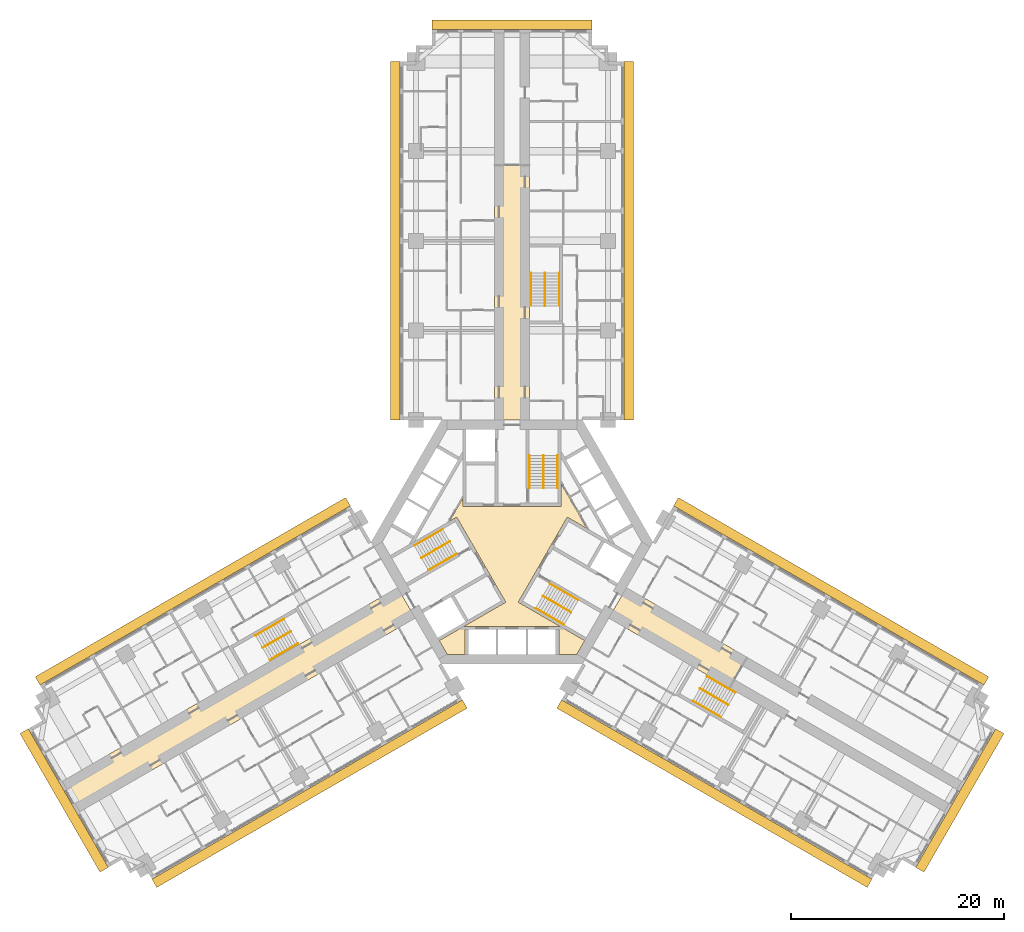
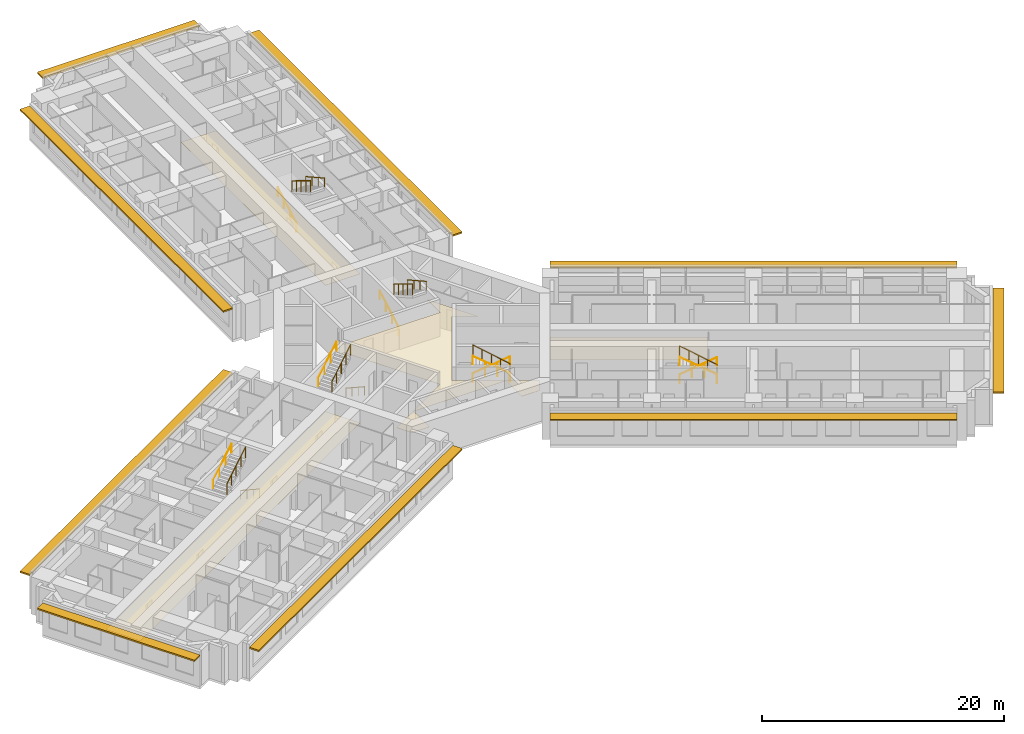
# One storey, part 15 of 15: 18 railings, 4 coverings, 3 shading devices.
"""IFC4 building model written with IfcOpenShell, lengths in metres."""

import ifcopenshell
import ifcopenshell.guid

model = None  # the IFC model being written
_history = None  # IfcOwnerHistory: only IFC2X3 demands one
_inside = {}  # id of a spatial element -> (the spatial element, [elements in it])
_under = {}  # id of a project, library or spatial element -> (it, [spatial elements below it])
_declared = {}  # id of a project -> (the project, [libraries it declares])
_typed = {}  # id of a type object -> (the type object, [elements of that type])
_made_of = {}  # id of a material, layer set ... -> (it, [elements and type objects made of it])


def new_model(schema):
    """Start an empty IFC model of exactly this schema.

    Asked for "IFC4X3", IfcOpenShell would pick the latest addendum, in which some entities
    have other attributes; the version numbers below select the first issue.
    IFC2X3 requires an IfcOwnerHistory on every rooted entity: one is made here for all.
    """
    global model, _history
    if schema == "IFC4X3":
        model = ifcopenshell.file(schema_version=(4, 3, 0, 0))
    else:
        model = ifcopenshell.file(schema=schema)
    _inside.clear()
    _under.clear()
    _declared.clear()
    _typed.clear()
    _made_of.clear()
    _history = None
    if model.schema == "IFC2X3":
        org = make("IfcOrganization", Name="unknown")
        user = make(
            "IfcPersonAndOrganization",
            ThePerson=make("IfcPerson", FamilyName="unknown"),
            TheOrganization=org,
        )
        app = make(
            "IfcApplication",
            ApplicationDeveloper=org,
            Version="unknown",
            ApplicationFullName="unknown",
            ApplicationIdentifier="unknown",
        )
        _history = make(
            "IfcOwnerHistory",
            OwningUser=user,
            OwningApplication=app,
            ChangeAction="ADDED",
            CreationDate=0,
        )
    return model


def make(cls, **values):
    """One entity of the class cls with the attributes given. An attribute that is None is left unset."""
    return model.create_entity(
        cls, **{name: value for name, value in values.items() if value is not None}
    )


def rooted(cls, **values):
    """An entity with a GlobalId (a new one), such as an element, a storey or a relation."""
    return make(cls, GlobalId=ifcopenshell.guid.new(), OwnerHistory=_history, **values)


def si_unit(unit_type, name, prefix=None):
    """IfcSIUnit, for example si_unit("LENGTHUNIT", "METRE", prefix="MILLI")."""
    return make("IfcSIUnit", UnitType=unit_type, Prefix=prefix, Name=name)


def assignment(units):
    """IfcUnitAssignment: the units of a project."""
    return None if units is None else make("IfcUnitAssignment", Units=units)


def point(xyz):
    """IfcCartesianPoint."""
    return None if xyz is None else make("IfcCartesianPoint", Coordinates=xyz)


def direction(xyz):
    """IfcDirection."""
    return None if xyz is None else make("IfcDirection", DirectionRatios=xyz)


def frame(location, z_axis=None, x_axis=None):
    """IfcAxis2Placement3D, a coordinate frame: its origin and axes. An axis left out is left unset."""
    return make(
        "IfcAxis2Placement3D",
        Location=point(location),
        Axis=direction(z_axis),
        RefDirection=direction(x_axis),
    )


def frame_2d(location, x_axis=None):
    """IfcAxis2Placement2D, a coordinate frame in the plane: its origin and x axis."""
    return make(
        "IfcAxis2Placement2D", Location=point(location), RefDirection=direction(x_axis)
    )


def origin():
    """The frame at (0, 0, 0) with its axes left unset."""
    return frame((0.0, 0.0, 0.0))


def origin_2d():
    """The frame at (0, 0) in the plane with its x axis left unset."""
    return frame_2d((0.0, 0.0))


def place(relative_to, where):
    """IfcLocalPlacement: puts the frame where relative to a parent placement (None: the world)."""
    return make(
        "IfcLocalPlacement", PlacementRelTo=relative_to, RelativePlacement=where
    )


def context(
    kind, dimensions, precision=None, world=None, true_north=None, identifier=None
):
    """IfcGeometricRepresentationContext, for example the 3D "Model" context."""
    return make(
        "IfcGeometricRepresentationContext",
        ContextIdentifier=identifier,
        ContextType=kind,
        CoordinateSpaceDimension=dimensions,
        Precision=precision,
        WorldCoordinateSystem=world,
        TrueNorth=true_north,
    )


def subcontext(parent, identifier, kind, view, scale=None):
    """IfcGeometricRepresentationSubContext, for example "Body" below "Model"."""
    return make(
        "IfcGeometricRepresentationSubContext",
        ContextIdentifier=identifier,
        ContextType=kind,
        ParentContext=parent,
        TargetScale=scale,
        TargetView=view,
    )


def project(units=None, contexts=None):
    """IfcProject with its units and contexts."""
    return rooted(
        "IfcProject",
        Name="project",
        RepresentationContexts=contexts,
        UnitsInContext=assignment(units),
    )


def spatial(cls, under=None, at=None, **own):
    """A site, building, storey or space (cls), placed at a placement, below another one or the project."""
    s = rooted(cls, ObjectPlacement=at, **own)
    if under is not None:
        _under.setdefault(under.id(), (under, []))[1].append(s)
    return s


def polyline(points):
    """IfcPolyline through the points."""
    return make("IfcPolyline", Points=[point(p) for p in points])


def profile(cls, at=None, kind="AREA", **sizes):
    """A parametric profile (cls). Its sizes go by their IFC names, for example OverallWidth=200.0."""
    return make(cls, ProfileType=kind, Position=at, **sizes)


def rectangle(**sizes):
    """IfcRectangleProfileDef."""
    return profile("IfcRectangleProfileDef", **sizes)


def circle(**sizes):
    """IfcCircleProfileDef."""
    return profile("IfcCircleProfileDef", **sizes)


def outline(outer, holes=None, kind="AREA"):
    """IfcArbitraryClosedProfileDef: a profile drawn as a closed curve; with holes, ...WithVoids."""
    if holes is None:
        return make("IfcArbitraryClosedProfileDef", ProfileType=kind, OuterCurve=outer)
    return make(
        "IfcArbitraryProfileDefWithVoids",
        ProfileType=kind,
        OuterCurve=outer,
        InnerCurves=holes,
    )


def extrude(swept, where, along, depth):
    """IfcExtrudedAreaSolid: the profile swept, set in the frame where, extruded along a direction by depth."""
    return make(
        "IfcExtrudedAreaSolid",
        SweptArea=swept,
        Position=where,
        ExtrudedDirection=direction(along),
        Depth=depth,
    )


def shape(context_of_items, identifier, shape_type, items):
    """IfcShapeRepresentation: the items that make up one representation, for example the "Body"."""
    return make(
        "IfcShapeRepresentation",
        ContextOfItems=context_of_items,
        RepresentationIdentifier=identifier,
        RepresentationType=shape_type,
        Items=items,
    )


def material(Name=None, Category=None):
    """IfcMaterial."""
    return make("IfcMaterial", Name=Name, Category=Category)


def layer(
    of_material, thickness, ventilated=None, Name=None, Category=None, Priority=None
):
    """IfcMaterialLayer: one layer of a wall or slab, of a material (None: an air gap)."""
    return make(
        "IfcMaterialLayer",
        Material=of_material,
        LayerThickness=thickness,
        IsVentilated=ventilated,
        Name=Name,
        Category=Category,
        Priority=Priority,
    )


def layer_set(layers, Name=None):
    """IfcMaterialLayerSet."""
    return make("IfcMaterialLayerSet", MaterialLayers=layers, LayerSetName=Name)


def made_of(thing, what):
    """Note that an element or type object is made of a material, layer set ...; save() writes the relation."""
    if what is not None:
        _made_of.setdefault(what.id(), (what, []))[1].append(thing)
    return thing


def type_object(cls, material=None, **own):
    """A type object (cls), such as IfcWallType, which elements share."""
    return made_of(rooted(cls, **own), material)


def element(
    cls,
    number,
    at=None,
    inside=None,
    cuts=None,
    type_object=None,
    material=None,
    context=None,
    identifier="Body",
    shape_type=None,
    held_by="IfcProductDefinitionShape",
    body=None,
    shapes=None,
    **own,
):
    """One element of the class cls, such as IfcWall. Its Tag is "e" and its number.

    at: its placement. inside: the storey or other place that contains it. cuts: it is an
    opening in that element (IfcRelVoidsElement). A single representation is given by context,
    identifier, shape_type and body (its items); several are given by shapes. held_by: the class
    of the entity that holds the representations. save() writes the other relations.
    """
    e = rooted(cls, Tag="e%d" % number, ObjectPlacement=at, **own)
    if body is not None:
        shapes = [shape(context, identifier, shape_type, body)]
    if shapes is not None:
        e.Representation = make(held_by, Representations=shapes)
    if inside is not None:
        _inside.setdefault(inside.id(), (inside, []))[1].append(e)
    if cuts is not None:
        rooted(
            "IfcRelVoidsElement", RelatingBuildingElement=cuts, RelatedOpeningElement=e
        )
    if type_object is not None:
        _typed.setdefault(type_object.id(), (type_object, []))[1].append(e)
    return made_of(e, material)


def aggregate(whole, parts):
    """IfcRelAggregates: a whole, such as a stair, and the parts it consists of."""
    return rooted("IfcRelAggregates", RelatingObject=whole, RelatedObjects=parts)


def save(model, path):
    """Write the relations noted so far, then the file.

    IfcRelAggregates (storeys below a building ...), IfcRelContainedInSpatialStructure (elements
    in a storey), IfcRelDefinesByType, IfcRelAssociatesMaterial and IfcRelDeclares: one each for
    every whole, place, type object, material and project.
    """
    for whole, parts in _under.values():
        aggregate(whole, parts)
    for where, things in _inside.values():
        rooted(
            "IfcRelContainedInSpatialStructure",
            RelatedElements=things,
            RelatingStructure=where,
        )
    for kind, things in _typed.values():
        rooted("IfcRelDefinesByType", RelatedObjects=things, RelatingType=kind)
    for what, things in _made_of.values():
        rooted("IfcRelAssociatesMaterial", RelatedObjects=things, RelatingMaterial=what)
    for by, libraries in _declared.values():
        rooted("IfcRelDeclares", RelatingContext=by, RelatedDefinitions=libraries)
    model.write(path)


model = new_model("IFC4")

# Units and contexts
model_context = context("Model", 3, precision=1e-05, world=origin(), true_north=direction((0.0, 1.0)))
body_context = subcontext(model_context, "Body", "Model", "MODEL_VIEW")
ifc_project = project(units=[si_unit("LENGTHUNIT", "METRE"), si_unit("AREAUNIT", "SQUARE_METRE"), si_unit("VOLUMEUNIT", "CUBIC_METRE"), si_unit("PLANEANGLEUNIT", "RADIAN"), si_unit("MASSUNIT", "GRAM", prefix="KILO")], contexts=[model_context])

# Site, building, storey
site_placement = place(None, origin())
site = spatial("IfcSite", under=ifc_project, at=site_placement, CompositionType="ELEMENT")
building_placement = place(site_placement, origin())
building = spatial("IfcBuilding", under=site, at=building_placement, Name="Impinga Residences", CompositionType="ELEMENT")
storey_placement = place(building_placement, frame((0.0, 0.0, 82.25)))
storey = spatial("IfcBuildingStorey", under=building, at=storey_placement, Name="L20", CompositionType="ELEMENT", Elevation=82.25)

# Coverings
ifc_material_1 = material(Name="Plasterboard 15 mm on steel hangers", Category="steel")
ifc_layer_1 = layer(ifc_material_1, 0.014892578125)
ifc_layer_set_1 = layer_set([ifc_layer_1], Name="Plasterboard 15 mm on steel hangers")
covering_type_1 = type_object("IfcCoveringType", Name="CL1 corridor ceiling, 15 mm plasterboard on hangers", PredefinedType="CEILING", material=ifc_layer_set_1)
covering_1_placement = place(storey_placement, frame((0.0, 0.0, 2.39990234375)))
element("IfcCovering", 1, at=covering_1_placement, inside=storey, type_object=covering_type_1, Name="Corridor ceiling CL1 L20-N00", PredefinedType="CEILING", context=body_context, shape_type="SweptSolid", body=[
    extrude(outline(polyline([(1.64990234375, 11.431640625), (-1.64990234375, 11.431640625), (-1.64990234375, 35.281982421875), (1.64990234375, 35.281982421875), (1.64990234375, 11.431640625)])), origin(), (0.0, 0.0, 1.0), 0.01513671875),
])
covering_2_placement = place(storey_placement, frame((0.0, 0.0, 2.39990234375)))
element("IfcCovering", 2, at=covering_2_placement, inside=storey, type_object=covering_type_1, Name="Corridor ceiling CL1 L20-W00", PredefinedType="CEILING", context=body_context, shape_type="SweptSolid", body=[
    extrude(outline(polyline([(-9.074951171875, -7.144775390625), (-10.72509765625, -4.286865234375), (-42.16162109375, -22.436767578125), (-40.51171875, -25.294677734375), (-9.074951171875, -7.144775390625)])), origin(), (0.0, 0.0, 1.0), 0.01513671875),
])
covering_3_placement = place(storey_placement, frame((0.0, 0.0, 2.39990234375)))
element("IfcCovering", 3, at=covering_3_placement, inside=storey, type_object=covering_type_1, Name="Corridor ceiling CL1 L20-E00", PredefinedType="CEILING", context=body_context, shape_type="SweptSolid", body=[
    extrude(outline(polyline([(9.074951171875, -7.144775390625), (10.72509765625, -4.286865234375), (21.999267578125, -10.796142578125), (20.349365234375, -13.654052734375), (9.074951171875, -7.144775390625)])), origin(), (0.0, 0.0, 1.0), 0.01513671875),
])
ifc_material_2 = material(Name="Mineral fibre tiles 20 mm on exposed grid", Category="mineral fibre")
ifc_layer_2 = layer(ifc_material_2, 0.02001953125)
ifc_layer_set_2 = layer_set([ifc_layer_2], Name="CL2 lift lobby ceiling, 20 mm mineral fibre tiles")
covering_type_2 = type_object("IfcCoveringType", Name="CL2 lift lobby ceiling, 20 mm mineral fibre tiles", PredefinedType="CEILING", material=ifc_layer_set_2)
covering_4_placement = place(storey_placement, frame((0.0, 0.0, 2.39990234375)))
element("IfcCovering", 4, at=covering_4_placement, inside=storey, type_object=covering_type_2, Name="Lift lobby ceiling CL2 L20-C01", PredefinedType="CEILING", context=body_context, shape_type="SweptSolid", body=[
    extrude(outline(polyline([(6.080322265625, -10.531494140625), (4.39990234375, -10.531494140625), (4.39990234375, -7.931640625), (-4.39990234375, -7.931640625), (-4.39990234375, -10.531494140625), (-6.080322265625, -10.531494140625), (-6.820556640625, -9.24951171875), (-0.583984375, -5.648681640625), (-5.183837890625, 2.318603515625), (-5.846923828125, 1.935791015625), (-4.60009765625, 4.095703125), (-4.60009765625, 3.330078125), (4.60009765625, 3.330078125), (4.60009765625, 5.49560546875), (7.059326171875, 1.23583984375), (5.183837890625, 2.318603515625), (0.583984375, -5.648681640625), (6.820556640625, -9.24951171875), (6.080322265625, -10.531494140625)])), origin(), (0.0, 0.0, 1.0), 0.02001953125),
])

# Railings
ifc_material_3 = material(Name="Steel guard, powder coated", Category="steel")
railing_type_1 = type_object("IfcRailingType", Name="GR1 stair guard 1100", PredefinedType="GUARDRAIL", material=ifc_material_3)
railing_1_placement = place(storey_placement, frame((2.949951171875, 8.110107421875, 1.875)))
element("IfcRailing", 5, at=railing_1_placement, inside=storey, type_object=railing_type_1, Name="Stair guard GR1 ST1 L20", PredefinedType="GUARDRAIL", context=body_context, shape_type="SweptSolid", body=[
    extrude(circle(Radius=0.02392578125, at=origin_2d()), frame((0.0, 0.0, 1.076171875), z_axis=(0.0, -0.854177636135, 0.519981313056), x_axis=(1.0, 0.0, 0.0)), (0.0, 0.0, 1.0), 3.60595703125),
    extrude(circle(Radius=0.02099609375, at=origin_2d()), origin(), (0.0, 0.0, 1.0), 1.052001953125),
    extrude(circle(Radius=0.02099609375, at=origin_2d()), frame((0.0, -0.77001953125, 0.46875)), (0.0, 0.0, 1.0), 1.052001953125),
    extrude(circle(Radius=0.02099609375, at=origin_2d()), frame((0.0, -1.5400390625, 0.9375)), (0.0, 0.0, 1.0), 1.052001953125),
    extrude(circle(Radius=0.02099609375, at=origin_2d()), frame((0.0, -2.31005859375, 1.40625)), (0.0, 0.0, 1.0), 1.052001953125),
    extrude(circle(Radius=0.02099609375, at=origin_2d()), frame((0.0, -3.080078125, 1.875)), (0.0, 0.0, 1.0), 1.052001953125),
])
railing_2_placement = place(storey_placement, frame((-8.49853515625, -1.500244140625, 1.875)))
element("IfcRailing", 6, at=railing_2_placement, inside=storey, type_object=railing_type_1, Name="Stair guard GR1 ST2 L20", PredefinedType="GUARDRAIL", context=body_context, shape_type="SweptSolid", body=[
    extrude(circle(Radius=0.02392578125, at=origin_2d()), frame((0.0, 0.0, 1.076171875), z_axis=(0.739746383972, 0.427084037168, 0.519975492303), x_axis=(-0.499992328818, 0.866029832698, 0.0)), (0.0, 0.0, 1.0), 3.60595703125),
    extrude(circle(Radius=0.02099609375, at=origin_2d()), origin(), (0.0, 0.0, 1.0), 1.052001953125),
    extrude(circle(Radius=0.02099609375, at=origin_2d()), frame((0.6669921875, 0.385009765625, 0.46875)), (0.0, 0.0, 1.0), 1.052001953125),
    extrude(circle(Radius=0.02099609375, at=origin_2d()), frame((1.333740234375, 0.77001953125, 0.9375)), (0.0, 0.0, 1.0), 1.052001953125),
    extrude(circle(Radius=0.02099609375, at=origin_2d()), frame((2.00048828125, 1.155029296875, 1.40625)), (0.0, 0.0, 1.0), 1.052001953125),
    extrude(circle(Radius=0.02099609375, at=origin_2d()), frame((2.66748046875, 1.5400390625, 1.875)), (0.0, 0.0, 1.0), 1.052001953125),
])
railing_3_placement = place(storey_placement, frame((5.548583984375, -6.60986328125, 1.875)))
element("IfcRailing", 7, at=railing_3_placement, inside=storey, type_object=railing_type_1, Name="Stair guard GR1 ST3 L20", PredefinedType="GUARDRAIL", context=body_context, shape_type="SweptSolid", body=[
    extrude(circle(Radius=0.02392578125, at=origin_2d()), frame((0.0, 0.0, 1.076171875), z_axis=(-0.739746383972, 0.427084037168, 0.519975492303), x_axis=(-0.499992328818, -0.866029832698, 0.0)), (0.0, 0.0, 1.0), 3.60595703125),
    extrude(circle(Radius=0.02099609375, at=origin_2d()), origin(), (0.0, 0.0, 1.0), 1.052001953125),
    extrude(circle(Radius=0.02099609375, at=origin_2d()), frame((-0.6669921875, 0.385009765625, 0.46875)), (0.0, 0.0, 1.0), 1.052001953125),
    extrude(circle(Radius=0.02099609375, at=origin_2d()), frame((-1.333740234375, 0.77001953125, 0.9375)), (0.0, 0.0, 1.0), 1.052001953125),
    extrude(circle(Radius=0.02099609375, at=origin_2d()), frame((-2.00048828125, 1.155029296875, 1.40625)), (0.0, 0.0, 1.0), 1.052001953125),
    extrude(circle(Radius=0.02099609375, at=origin_2d()), frame((-2.66748046875, 1.5400390625, 1.875)), (0.0, 0.0, 1.0), 1.052001953125),
])
railing_4_placement = place(storey_placement, frame((3.10009765625, 25.21142578125, 1.875)))
element("IfcRailing", 8, at=railing_4_placement, inside=storey, type_object=railing_type_1, Name="Stair guard GR1 WS1 L20", PredefinedType="GUARDRAIL", context=body_context, shape_type="SweptSolid", body=[
    extrude(circle(Radius=0.02392578125, at=origin_2d()), frame((0.0, 0.0, 1.076171875), z_axis=(0.0, -0.854159328187, 0.520011386482), x_axis=(1.0, 0.0, 0.0)), (0.0, 0.0, 1.0), 3.605712890625),
    extrude(circle(Radius=0.02099609375, at=origin_2d()), origin(), (0.0, 0.0, 1.0), 1.052001953125),
    extrude(circle(Radius=0.02099609375, at=origin_2d()), frame((0.0, -0.77001953125, 0.46875)), (0.0, 0.0, 1.0), 1.052001953125),
    extrude(circle(Radius=0.02099609375, at=origin_2d()), frame((0.0, -1.5400390625, 0.9375)), (0.0, 0.0, 1.0), 1.052001953125),
    extrude(circle(Radius=0.02099609375, at=origin_2d()), frame((0.0, -2.309814453125, 1.40625)), (0.0, 0.0, 1.0), 1.052001953125),
    extrude(circle(Radius=0.02099609375, at=origin_2d()), frame((0.0, -3.079833984375, 1.875)), (0.0, 0.0, 1.0), 1.052001953125),
])
railing_5_placement = place(storey_placement, frame((-23.3837890625, -9.921142578125, 1.875)))
element("IfcRailing", 9, at=railing_5_placement, inside=storey, type_object=railing_type_1, Name="Stair guard GR1 WS2 L20", PredefinedType="GUARDRAIL", context=body_context, shape_type="SweptSolid", body=[
    extrude(circle(Radius=0.02392578125, at=origin_2d()), frame((0.0, 0.0, 1.076171875), z_axis=(0.739715726454, 0.427105428144, 0.52000153585), x_axis=(-0.500026652407, 0.866010015463, 0.0)), (0.0, 0.0, 1.0), 3.605712890625),
    extrude(circle(Radius=0.02099609375, at=origin_2d()), origin(), (0.0, 0.0, 1.0), 1.052001953125),
    extrude(circle(Radius=0.02099609375, at=origin_2d()), frame((0.666748046875, 0.385009765625, 0.46875)), (0.0, 0.0, 1.0), 1.052001953125),
    extrude(circle(Radius=0.02099609375, at=origin_2d()), frame((1.33349609375, 0.77001953125, 0.9375)), (0.0, 0.0, 1.0), 1.052001953125),
    extrude(circle(Radius=0.02099609375, at=origin_2d()), frame((2.00048828125, 1.155029296875, 1.40625)), (0.0, 0.0, 1.0), 1.052001953125),
    extrude(circle(Radius=0.02099609375, at=origin_2d()), frame((2.667236328125, 1.5400390625, 1.875)), (0.0, 0.0, 1.0), 1.052001953125),
])
railing_6_placement = place(storey_placement, frame((20.283935546875, -15.29052734375, 1.875)))
element("IfcRailing", 10, at=railing_6_placement, inside=storey, type_object=railing_type_1, Name="Stair guard GR1 WS3 L20", PredefinedType="GUARDRAIL", context=body_context, shape_type="SweptSolid", body=[
    extrude(circle(Radius=0.02392578125, at=origin_2d()), frame((0.0, 0.0, 1.076171875), z_axis=(-0.739746383972, 0.427084037168, 0.519975492303), x_axis=(-0.499992328818, -0.866029832698, 0.0)), (0.0, 0.0, 1.0), 3.60595703125),
    extrude(circle(Radius=0.02099609375, at=origin_2d()), origin(), (0.0, 0.0, 1.0), 1.052001953125),
    extrude(circle(Radius=0.02099609375, at=origin_2d()), frame((-0.6669921875, 0.385009765625, 0.46875)), (0.0, 0.0, 1.0), 1.052001953125),
    extrude(circle(Radius=0.02099609375, at=origin_2d()), frame((-1.333740234375, 0.77001953125, 0.9375)), (0.0, 0.0, 1.0), 1.052001953125),
    extrude(circle(Radius=0.02099609375, at=origin_2d()), frame((-2.00048828125, 1.155029296875, 1.40625)), (0.0, 0.0, 1.0), 1.052001953125),
    extrude(circle(Radius=0.02099609375, at=origin_2d()), frame((-2.66748046875, 1.5400390625, 1.875)), (0.0, 0.0, 1.0), 1.052001953125),
])
ifc_material_4 = material(Name="Steel handrail tube 42 mm, powder coated", Category="steel")
railing_type_2 = type_object("IfcRailingType", Name="HR1 stair handrail, 42 mm steel tube, 900 above the pitch line", PredefinedType="HANDRAIL", material=ifc_material_4)
railing_7_placement = place(storey_placement, frame((1.62109375, 5.030029296875, 0.15625)))
element("IfcRailing", 11, at=railing_7_placement, inside=storey, type_object=railing_type_2, Name="Stair handrail HR1 ST1 L20", PredefinedType="HANDRAIL", context=body_context, shape_type="SweptSolid", body=[
    extrude(circle(Radius=0.02099609375, at=origin_2d()), frame((0.0, 0.0, 0.87890625), z_axis=(0.0, 0.873241540666, 0.487287606713), x_axis=(-1.0, 0.0, 0.0)), (0.0, 0.0, 1.0), 3.527099609375),
    extrude(circle(Radius=0.012451171875, at=origin_2d()), origin(), (0.0, 0.0, 1.0), 0.85791015625),
    extrude(circle(Radius=0.012451171875, at=origin_2d()), frame((0.0, 1.026611328125, 0.572998046875)), (0.0, 0.0, 1.0), 0.85791015625),
    extrude(circle(Radius=0.012451171875, at=origin_2d()), frame((0.0, 2.053466796875, 1.145751953125)), (0.0, 0.0, 1.0), 0.85791015625),
    extrude(circle(Radius=0.012451171875, at=origin_2d()), frame((0.0, 3.080078125, 1.71875)), (0.0, 0.0, 1.0), 0.85791015625),
])
railing_8_placement = place(storey_placement, frame((4.279052734375, 8.110107421875, 2.03125)))
element("IfcRailing", 12, at=railing_8_placement, inside=storey, type_object=railing_type_2, Name="Stair handrail HR1 ST1 L20", PredefinedType="HANDRAIL", context=body_context, shape_type="SweptSolid", body=[
    extrude(circle(Radius=0.02099609375, at=origin_2d()), frame((0.0, 0.0, 0.87890625), z_axis=(0.0, -0.873241540666, 0.487287606713), x_axis=(1.0, 0.0, 0.0)), (0.0, 0.0, 1.0), 3.527099609375),
    extrude(circle(Radius=0.012451171875, at=origin_2d()), origin(), (0.0, 0.0, 1.0), 0.85791015625),
    extrude(circle(Radius=0.012451171875, at=origin_2d()), frame((0.0, -1.026611328125, 0.572998046875)), (0.0, 0.0, 1.0), 0.85791015625),
    extrude(circle(Radius=0.012451171875, at=origin_2d()), frame((0.0, -2.053466796875, 1.145751953125)), (0.0, 0.0, 1.0), 0.85791015625),
    extrude(circle(Radius=0.012451171875, at=origin_2d()), frame((0.0, -3.080078125, 1.71875)), (0.0, 0.0, 1.0), 0.85791015625),
])
railing_9_placement = place(storey_placement, frame((-5.16650390625, -1.111083984375, 0.15625)))
element("IfcRailing", 13, at=railing_9_placement, inside=storey, type_object=railing_type_2, Name="Stair handrail HR1 ST2 L20", PredefinedType="HANDRAIL", context=body_context, shape_type="SweptSolid", body=[
    extrude(circle(Radius=0.02099609375, at=origin_2d()), frame((0.0, 0.0, 0.87890625), z_axis=(-0.756255980417, -0.436615662133, 0.487281905742), x_axis=(0.499992328818, -0.866029832698, 0.0)), (0.0, 0.0, 1.0), 3.527099609375),
    extrude(circle(Radius=0.012451171875, at=origin_2d()), origin(), (0.0, 0.0, 1.0), 0.85791015625),
    extrude(circle(Radius=0.012451171875, at=origin_2d()), frame((-0.88916015625, -0.513427734375, 0.572998046875)), (0.0, 0.0, 1.0), 0.85791015625),
    extrude(circle(Radius=0.012451171875, at=origin_2d()), frame((-1.7783203125, -1.026611328125, 1.145751953125)), (0.0, 0.0, 1.0), 0.85791015625),
    extrude(circle(Radius=0.012451171875, at=origin_2d()), frame((-2.66748046875, -1.5400390625, 1.71875)), (0.0, 0.0, 1.0), 0.85791015625),
])
railing_10_placement = place(storey_placement, frame((-9.1630859375, -0.349365234375, 2.03125)))
element("IfcRailing", 14, at=railing_10_placement, inside=storey, type_object=railing_type_2, Name="Stair handrail HR1 ST2 L20", PredefinedType="HANDRAIL", context=body_context, shape_type="SweptSolid", body=[
    extrude(circle(Radius=0.02099609375, at=origin_2d()), frame((0.0, 0.0, 0.87890625), z_axis=(0.756255980417, 0.436615662133, 0.487281905742), x_axis=(-0.499992328818, 0.866029832698, 0.0)), (0.0, 0.0, 1.0), 3.527099609375),
    extrude(circle(Radius=0.012451171875, at=origin_2d()), origin(), (0.0, 0.0, 1.0), 0.85791015625),
    extrude(circle(Radius=0.012451171875, at=origin_2d()), frame((0.88916015625, 0.513427734375, 0.572998046875)), (0.0, 0.0, 1.0), 0.85791015625),
    extrude(circle(Radius=0.012451171875, at=origin_2d()), frame((1.7783203125, 1.026611328125, 1.145751953125)), (0.0, 0.0, 1.0), 0.85791015625),
    extrude(circle(Radius=0.012451171875, at=origin_2d()), frame((2.66748046875, 1.5400390625, 1.71875)), (0.0, 0.0, 1.0), 0.85791015625),
])
railing_11_placement = place(storey_placement, frame((3.545654296875, -3.9189453125, 0.15625)))
element("IfcRailing", 15, at=railing_11_placement, inside=storey, type_object=railing_type_2, Name="Stair handrail HR1 ST3 L20", PredefinedType="HANDRAIL", context=body_context, shape_type="SweptSolid", body=[
    extrude(circle(Radius=0.02099609375, at=origin_2d()), frame((0.0, 0.0, 0.87890625), z_axis=(0.756249203677, -0.436582492228, 0.487322141317), x_axis=(0.499967199496, 0.866044340336, 0.0)), (0.0, 0.0, 1.0), 3.52685546875),
    extrude(circle(Radius=0.012451171875, at=origin_2d()), origin(), (0.0, 0.0, 1.0), 0.85791015625),
    extrude(circle(Radius=0.012451171875, at=origin_2d()), frame((0.88916015625, -0.51318359375, 0.572998046875)), (0.0, 0.0, 1.0), 0.85791015625),
    extrude(circle(Radius=0.012451171875, at=origin_2d()), frame((1.778076171875, -1.026611328125, 1.145751953125)), (0.0, 0.0, 1.0), 0.85791015625),
    extrude(circle(Radius=0.012451171875, at=origin_2d()), frame((2.667236328125, -1.539794921875, 1.71875)), (0.0, 0.0, 1.0), 0.85791015625),
])
railing_12_placement = place(storey_placement, frame((4.884033203125, -7.7607421875, 2.03125)))
element("IfcRailing", 16, at=railing_12_placement, inside=storey, type_object=railing_type_2, Name="Stair handrail HR1 ST3 L20", PredefinedType="HANDRAIL", context=body_context, shape_type="SweptSolid", body=[
    extrude(circle(Radius=0.02099609375, at=origin_2d()), frame((0.0, 0.0, 0.87890625), z_axis=(-0.756255980417, 0.436615662133, 0.487281905742), x_axis=(-0.499992328818, -0.866029832698, 0.0)), (0.0, 0.0, 1.0), 3.527099609375),
    extrude(circle(Radius=0.012451171875, at=origin_2d()), origin(), (0.0, 0.0, 1.0), 0.85791015625),
    extrude(circle(Radius=0.012451171875, at=origin_2d()), frame((-0.88916015625, 0.513427734375, 0.572998046875)), (0.0, 0.0, 1.0), 0.85791015625),
    extrude(circle(Radius=0.012451171875, at=origin_2d()), frame((-1.7783203125, 1.026611328125, 1.145751953125)), (0.0, 0.0, 1.0), 0.85791015625),
    extrude(circle(Radius=0.012451171875, at=origin_2d()), frame((-2.66748046875, 1.5400390625, 1.71875)), (0.0, 0.0, 1.0), 0.85791015625),
])
railing_13_placement = place(storey_placement, frame((1.77099609375, 22.131591796875, 0.15625)))
element("IfcRailing", 17, at=railing_13_placement, inside=storey, type_object=railing_type_2, Name="Stair handrail HR1 WS1 L20", PredefinedType="HANDRAIL", context=body_context, shape_type="SweptSolid", body=[
    extrude(circle(Radius=0.02099609375, at=origin_2d()), frame((0.0, 0.0, 0.87890625), z_axis=(0.0, 0.873225103656, 0.487317061414), x_axis=(-1.0, 0.0, 0.0)), (0.0, 0.0, 1.0), 3.52685546875),
    extrude(circle(Radius=0.012451171875, at=origin_2d()), origin(), (0.0, 0.0, 1.0), 0.85791015625),
    extrude(circle(Radius=0.012451171875, at=origin_2d()), frame((0.0, 1.026611328125, 0.572998046875)), (0.0, 0.0, 1.0), 0.85791015625),
    extrude(circle(Radius=0.012451171875, at=origin_2d()), frame((0.0, 2.05322265625, 1.145751953125)), (0.0, 0.0, 1.0), 0.85791015625),
    extrude(circle(Radius=0.012451171875, at=origin_2d()), frame((0.0, 3.079833984375, 1.71875)), (0.0, 0.0, 1.0), 0.85791015625),
])
railing_14_placement = place(storey_placement, frame((4.428955078125, 25.21142578125, 2.03125)))
element("IfcRailing", 18, at=railing_14_placement, inside=storey, type_object=railing_type_2, Name="Stair handrail HR1 WS1 L20", PredefinedType="HANDRAIL", context=body_context, shape_type="SweptSolid", body=[
    extrude(circle(Radius=0.02099609375, at=origin_2d()), frame((0.0, 0.0, 0.87890625), z_axis=(0.0, -0.873225103656, 0.487317061414), x_axis=(1.0, 0.0, 0.0)), (0.0, 0.0, 1.0), 3.52685546875),
    extrude(circle(Radius=0.012451171875, at=origin_2d()), origin(), (0.0, 0.0, 1.0), 0.85791015625),
    extrude(circle(Radius=0.012451171875, at=origin_2d()), frame((0.0, -1.026611328125, 0.572998046875)), (0.0, 0.0, 1.0), 0.85791015625),
    extrude(circle(Radius=0.012451171875, at=origin_2d()), frame((0.0, -2.05322265625, 1.145751953125)), (0.0, 0.0, 1.0), 0.85791015625),
    extrude(circle(Radius=0.012451171875, at=origin_2d()), frame((0.0, -3.079833984375, 1.71875)), (0.0, 0.0, 1.0), 0.85791015625),
])
railing_15_placement = place(storey_placement, frame((-20.052001953125, -9.531982421875, 0.15625)))
element("IfcRailing", 19, at=railing_15_placement, inside=storey, type_object=railing_type_2, Name="Stair handrail HR1 WS2 L20", PredefinedType="HANDRAIL", context=body_context, shape_type="SweptSolid", body=[
    extrude(circle(Radius=0.02099609375, at=origin_2d()), frame((0.0, 0.0, 0.87890625), z_axis=(-0.756226348243, -0.436638517594, 0.487307413422), x_axis=(0.500026652407, -0.866010015463, 0.0)), (0.0, 0.0, 1.0), 3.527099609375),
    extrude(circle(Radius=0.012451171875, at=origin_2d()), origin(), (0.0, 0.0, 1.0), 0.85791015625),
    extrude(circle(Radius=0.012451171875, at=origin_2d()), frame((-0.88916015625, -0.513427734375, 0.572998046875)), (0.0, 0.0, 1.0), 0.85791015625),
    extrude(circle(Radius=0.012451171875, at=origin_2d()), frame((-1.778076171875, -1.026611328125, 1.145751953125)), (0.0, 0.0, 1.0), 0.85791015625),
    extrude(circle(Radius=0.012451171875, at=origin_2d()), frame((-2.667236328125, -1.5400390625, 1.71875)), (0.0, 0.0, 1.0), 0.85791015625),
])
railing_16_placement = place(storey_placement, frame((-24.04833984375, -8.77001953125, 2.03125)))
element("IfcRailing", 20, at=railing_16_placement, inside=storey, type_object=railing_type_2, Name="Stair handrail HR1 WS2 L20", PredefinedType="HANDRAIL", context=body_context, shape_type="SweptSolid", body=[
    extrude(circle(Radius=0.02099609375, at=origin_2d()), frame((0.0, 0.0, 0.87890625), z_axis=(0.756278834354, 0.436559638319, 0.487296631324), x_axis=(-0.499932877268, 0.866064153644, 0.0)), (0.0, 0.0, 1.0), 3.527099609375),
    extrude(circle(Radius=0.012451171875, at=origin_2d()), origin(), (0.0, 0.0, 1.0), 0.85791015625),
    extrude(circle(Radius=0.012451171875, at=origin_2d()), frame((0.88916015625, 0.51318359375, 0.572998046875)), (0.0, 0.0, 1.0), 0.85791015625),
    extrude(circle(Radius=0.012451171875, at=origin_2d()), frame((1.7783203125, 1.026611328125, 1.145751953125)), (0.0, 0.0, 1.0), 0.85791015625),
    extrude(circle(Radius=0.012451171875, at=origin_2d()), frame((2.66748046875, 1.539794921875, 1.71875)), (0.0, 0.0, 1.0), 0.85791015625),
])
railing_17_placement = place(storey_placement, frame((18.281005859375, -12.599609375, 0.15625)))
element("IfcRailing", 21, at=railing_17_placement, inside=storey, type_object=railing_type_2, Name="Stair handrail HR1 WS3 L20", PredefinedType="HANDRAIL", context=body_context, shape_type="SweptSolid", body=[
    extrude(circle(Radius=0.02099609375, at=origin_2d()), frame((0.0, 0.0, 0.87890625), z_axis=(0.756249203677, -0.436582492228, 0.487322141317), x_axis=(0.499967199496, 0.866044340336, 0.0)), (0.0, 0.0, 1.0), 3.52685546875),
    extrude(circle(Radius=0.012451171875, at=origin_2d()), origin(), (0.0, 0.0, 1.0), 0.85791015625),
    extrude(circle(Radius=0.012451171875, at=origin_2d()), frame((0.88916015625, -0.51318359375, 0.572998046875)), (0.0, 0.0, 1.0), 0.85791015625),
    extrude(circle(Radius=0.012451171875, at=origin_2d()), frame((1.778076171875, -1.026611328125, 1.145751953125)), (0.0, 0.0, 1.0), 0.85791015625),
    extrude(circle(Radius=0.012451171875, at=origin_2d()), frame((2.667236328125, -1.539794921875, 1.71875)), (0.0, 0.0, 1.0), 0.85791015625),
])
railing_18_placement = place(storey_placement, frame((19.619384765625, -16.44140625, 2.03125)))
element("IfcRailing", 22, at=railing_18_placement, inside=storey, type_object=railing_type_2, Name="Stair handrail HR1 WS3 L20", PredefinedType="HANDRAIL", context=body_context, shape_type="SweptSolid", body=[
    extrude(circle(Radius=0.02099609375, at=origin_2d()), frame((0.0, 0.0, 0.87890625), z_axis=(-0.756255980417, 0.436615662133, 0.487281905742), x_axis=(-0.499992328818, -0.866029832698, 0.0)), (0.0, 0.0, 1.0), 3.527099609375),
    extrude(circle(Radius=0.012451171875, at=origin_2d()), origin(), (0.0, 0.0, 1.0), 0.85791015625),
    extrude(circle(Radius=0.012451171875, at=origin_2d()), frame((-0.88916015625, 0.513427734375, 0.572998046875)), (0.0, 0.0, 1.0), 0.85791015625),
    extrude(circle(Radius=0.012451171875, at=origin_2d()), frame((-1.7783203125, 1.026611328125, 1.145751953125)), (0.0, 0.0, 1.0), 0.85791015625),
    extrude(circle(Radius=0.012451171875, at=origin_2d()), frame((-2.66748046875, 1.5400390625, 1.71875)), (0.0, 0.0, 1.0), 0.85791015625),
])

# Shading devices
ifc_material_5 = material(Name="Terracotta sunshade blades on aluminium brackets", Category="masonry")
ifc_layer_3 = layer(ifc_material_5, 0.14990234375)
ifc_layer_set_3 = layer_set([ifc_layer_3], Name="SS1 SUNSHADE terracotta sunshade band 900")
shading_device_type = type_object("IfcShadingDeviceType", Name="SS1 SUNSHADE terracotta sunshade band 900", PredefinedType="USERDEFINED", material=ifc_layer_set_3)
shading_device_1_placement = place(storey_placement, frame((-10.949951171875, 28.2314453125, 3.10009765625), z_axis=(0.0, 0.0, 1.0), x_axis=(0.0, 1.0, 0.0)))
element("IfcShadingDevice", 23, at=shading_device_1_placement, inside=storey, type_object=shading_device_type, Name="SUNSHADE band L20 NORTH WING", ObjectType="SUNSHADE", PredefinedType="USERDEFINED", context=body_context, shape_type="SweptSolid", body=[
    extrude(rectangle(XDim=33.60009765625, YDim=0.89990234375, at=origin_2d()), origin(), (0.0, 0.0, 1.0), 0.14990234375),
    extrude(rectangle(XDim=15.0, YDim=0.89990234375, at=origin_2d()), frame((20.25, -10.949951171875, 0.0), z_axis=(0.0, 0.0, 1.0), x_axis=(0.0, -1.0, 0.0)), (0.0, 0.0, 1.0), 0.14990234375),
    extrude(rectangle(XDim=33.60009765625, YDim=0.89990234375, at=origin_2d()), frame((0.0, -21.89990234375, 0.0), z_axis=(0.0, 0.0, 1.0), x_axis=(-1.0, 0.0, 0.0)), (0.0, 0.0, 1.0), 0.14990234375),
])
shading_device_2_placement = place(storey_placement, frame((-41.986328125, -24.24072265625, 3.10009765625), z_axis=(0.0, 0.0, 1.0), x_axis=(-0.5, 0.866025403784, 0.0)))
element("IfcShadingDevice", 24, at=shading_device_2_placement, inside=storey, type_object=shading_device_type, Name="SUNSHADE band L20 WEST WING", ObjectType="SUNSHADE", PredefinedType="USERDEFINED", context=body_context, shape_type="SweptSolid", body=[
    extrude(rectangle(XDim=15.0, YDim=0.89990234375, at=origin_2d()), origin(), (0.0, 0.0, 1.0), 0.14990234375),
    extrude(rectangle(XDim=33.60009765625, YDim=0.89990234375, at=origin_2d()), frame((10.949951171875, -20.25, 0.0), z_axis=(0.0, 0.0, 1.0), x_axis=(0.0, -1.0, 0.0)), (0.0, 0.0, 1.0), 0.14990234375),
    extrude(rectangle(XDim=33.60009765625, YDim=0.89990234375, at=origin_2d()), frame((-10.949951171875, -20.250244140625, 0.0), z_axis=(0.0, 0.0, 1.0), x_axis=(0.0, 1.0, 0.0)), (0.0, 0.0, 1.0), 0.14990234375),
])
shading_device_3_placement = place(storey_placement, frame((29.92431640625, -4.6328125, 3.10009765625), z_axis=(0.0, 0.0, 1.0), x_axis=(0.866025403784, -0.5, 0.0)))
element("IfcShadingDevice", 25, at=shading_device_3_placement, inside=storey, type_object=shading_device_type, Name="SUNSHADE band L20 EAST WING", ObjectType="SUNSHADE", PredefinedType="USERDEFINED", context=body_context, shape_type="SweptSolid", body=[
    extrude(rectangle(XDim=33.60009765625, YDim=0.89990234375, at=origin_2d()), origin(), (0.0, 0.0, 1.0), 0.14990234375),
    extrude(rectangle(XDim=15.0, YDim=0.89990234375, at=origin_2d()), frame((20.25, -10.949951171875, 0.0), z_axis=(0.0, 0.0, 1.0), x_axis=(0.0, -1.0, 0.0)), (0.0, 0.0, 1.0), 0.14990234375),
    extrude(rectangle(XDim=33.60009765625, YDim=0.89990234375, at=origin_2d()), frame((-0.000244140625, -21.89990234375, 0.0), z_axis=(0.0, 0.0, 1.0), x_axis=(-1.0, 0.0, 0.0)), (0.0, 0.0, 1.0), 0.14990234375),
])

save(model, "model.ifc")
